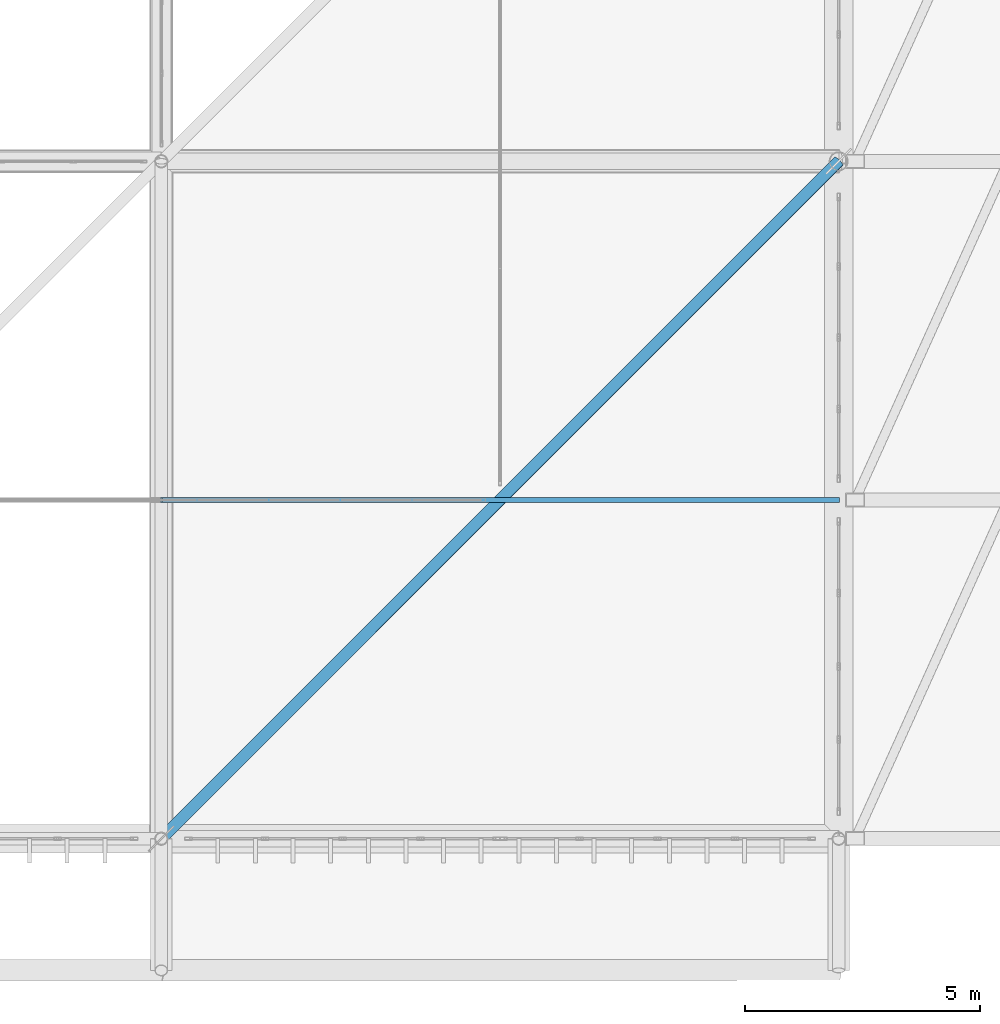
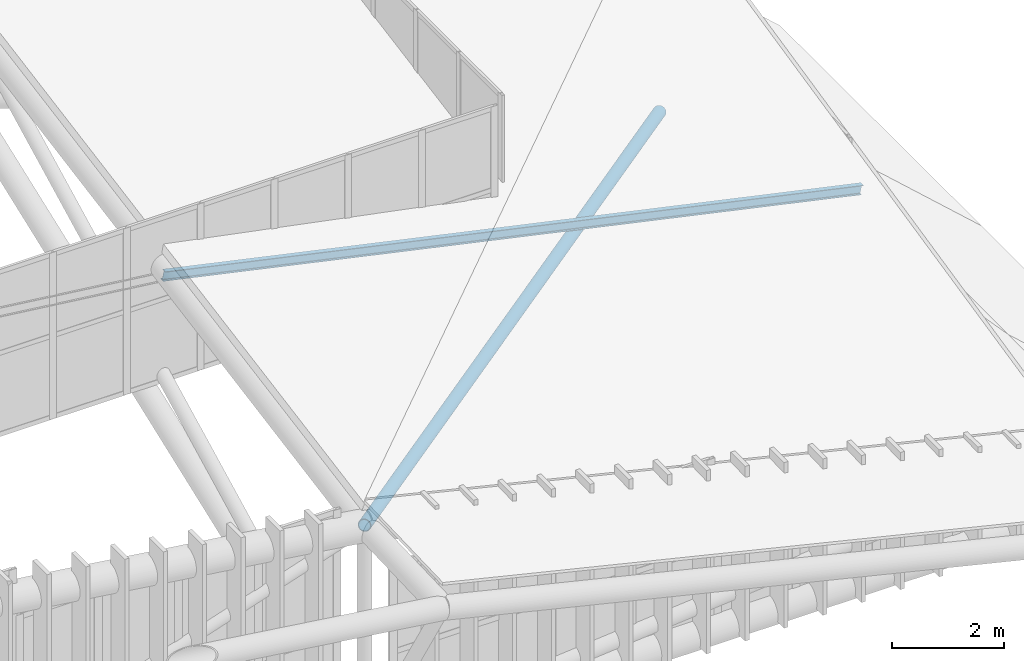
# One storey, part 120 of 397: 2 members.
"""IFC4 building model written with IfcOpenShell, lengths in metres."""

from ifc_helpers import new_model, si_unit, direction, frame, origin, origin_2d, place, context, subcontext, project, spatial, hollow_circle, i_section, extrude, material, material_profile, profile_set, type_object, element, save


model = new_model("IFC4")

# Units and contexts
model_context = context("Model", 3, precision=1e-05, world=origin(), true_north=direction((0.0, 1.0)))
body_context = subcontext(model_context, "Body", "Model", "MODEL_VIEW")
ifc_project = project(units=[si_unit("LENGTHUNIT", "METRE"), si_unit("AREAUNIT", "SQUARE_METRE"), si_unit("VOLUMEUNIT", "CUBIC_METRE"), si_unit("PLANEANGLEUNIT", "RADIAN"), si_unit("MASSUNIT", "GRAM", prefix="KILO")], contexts=[model_context])

# Site, building, storey
site_placement = place(None, origin())
site = spatial("IfcSite", under=ifc_project, at=site_placement, CompositionType="ELEMENT")
building_placement = place(site_placement, origin())
building = spatial("IfcBuilding", under=site, at=building_placement, Name="Qandorah Velis Arena", CompositionType="ELEMENT")
storey_placement = place(building_placement, frame((0.0, 0.0, 27.5)))
storey = spatial("IfcBuildingStorey", under=building, at=storey_placement, Name="RF", CompositionType="ELEMENT", Elevation=27.5)

# Members
ifc_material = material(Name="Steel S355", Category="steel")
ifc_material_profile_1 = material_profile(ifc_material, i_section(OverallWidth=0.10009765625, OverallDepth=0.199951171875, WebThickness=0.005615234375, FlangeThickness=0.008544921875, FilletRadius=0.011962890625, at=origin_2d()), Name="IPE 200")
ifc_profile_set_1 = profile_set([ifc_material_profile_1], Name="Steel S355")
member_type_1 = type_object("IfcMemberType", Name="STR-PRL-IPE200", PredefinedType="PURLIN", material=ifc_profile_set_1)
member_1_placement = place(storey_placement, frame((100.800048828125, 21.60009765625, 5.938720703125), z_axis=(0.976835362502, 0.0, -0.213992230153), x_axis=(0.0, 1.0, 0.0)))
element("IfcMember", 1, at=member_1_placement, inside=storey, type_object=member_type_1, Name="Arena roof purlin PRL-6.0", PredefinedType="PURLIN", context=body_context, shape_type="SweptSolid", body=[
    extrude(i_section(OverallWidth=0.10009765625, OverallDepth=0.199951171875, WebThickness=0.005615234375, FlangeThickness=0.008544921875, FilletRadius=0.011962890625, at=origin_2d()), origin(), (0.0, 0.0, 1.0), 14.741455078125),
])
ifc_material_profile_2 = material_profile(ifc_material, hollow_circle(Radius=0.122314453125, WallThickness=0.012451171875, at=origin_2d()), Name="CHS 244.5x12.5")
ifc_profile_set_2 = profile_set([ifc_material_profile_2], Name="Steel S355")
member_type_2 = type_object("IfcMemberType", Name="STR-SFD-CHS244X12", PredefinedType="STRUT", material=ifc_profile_set_2)
member_2_placement = place(storey_placement, frame((115.199951171875, 28.800048828125, 0.10009765625), z_axis=(-0.688604309592, -0.688615984413, 0.227227046855), x_axis=(0.707112775369, -0.707100786953, 0.0)))
element("IfcMember", 2, at=member_2_placement, inside=storey, type_object=member_type_2, Name="Space frame roof spatial diagonal 6.0", PredefinedType="STRUT", context=body_context, shape_type="SweptSolid", body=[
    extrude(hollow_circle(Radius=0.122314453125, WallThickness=0.012451171875, at=origin_2d()), origin(), (0.0, 0.0, 1.0), 20.91162109375),
])

save(model, "model.ifc")
